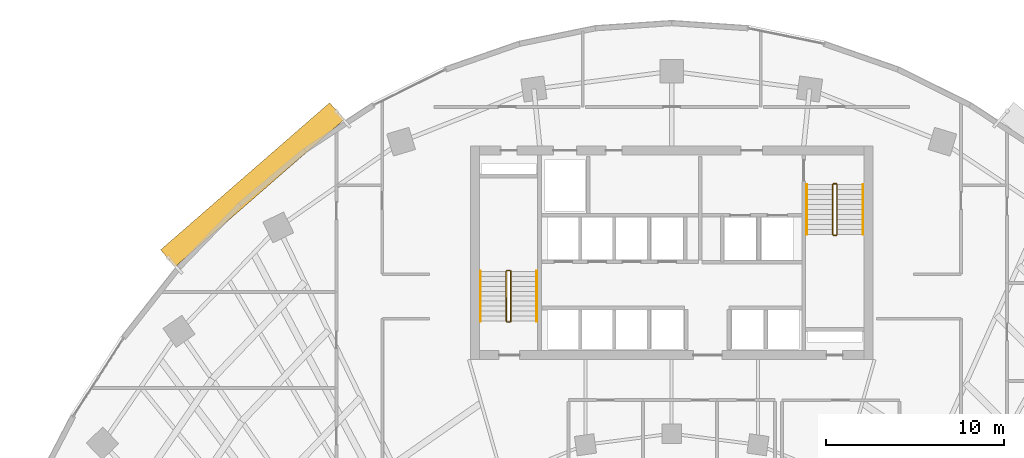
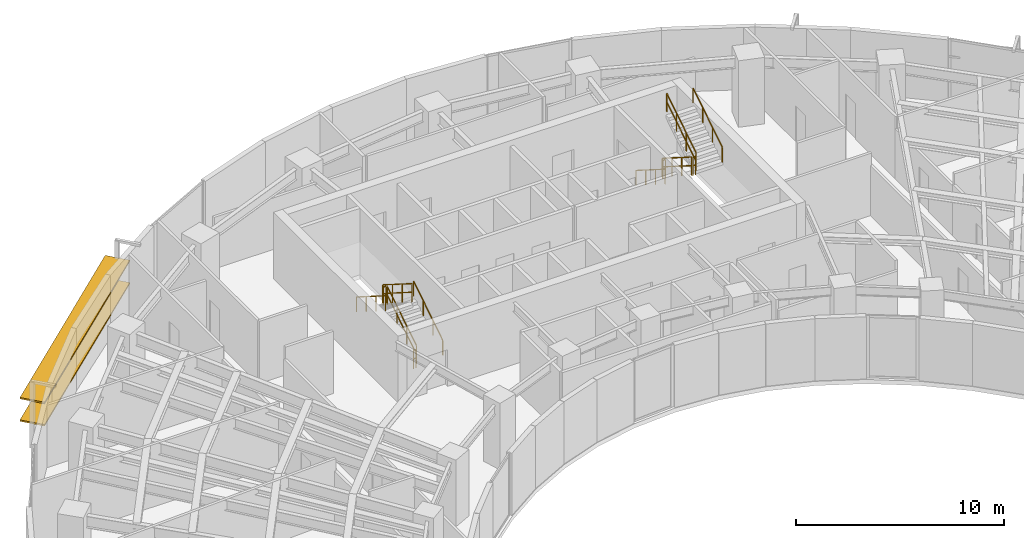
# One storey, part 12 of 13: 12 railings, 2 shading devices.
"""IFC4 building model written with IfcOpenShell, lengths in metres."""

import ifcopenshell
import ifcopenshell.guid

model = None  # the IFC model being written
_history = None  # IfcOwnerHistory: only IFC2X3 demands one
_inside = {}  # id of a spatial element -> (the spatial element, [elements in it])
_under = {}  # id of a project, library or spatial element -> (it, [spatial elements below it])
_declared = {}  # id of a project -> (the project, [libraries it declares])
_typed = {}  # id of a type object -> (the type object, [elements of that type])
_made_of = {}  # id of a material, layer set ... -> (it, [elements and type objects made of it])


def new_model(schema):
    """Start an empty IFC model of exactly this schema.

    Asked for "IFC4X3", IfcOpenShell would pick the latest addendum, in which some entities
    have other attributes; the version numbers below select the first issue.
    IFC2X3 requires an IfcOwnerHistory on every rooted entity: one is made here for all.
    """
    global model, _history
    if schema == "IFC4X3":
        model = ifcopenshell.file(schema_version=(4, 3, 0, 0))
    else:
        model = ifcopenshell.file(schema=schema)
    _inside.clear()
    _under.clear()
    _declared.clear()
    _typed.clear()
    _made_of.clear()
    _history = None
    if model.schema == "IFC2X3":
        org = make("IfcOrganization", Name="unknown")
        user = make(
            "IfcPersonAndOrganization",
            ThePerson=make("IfcPerson", FamilyName="unknown"),
            TheOrganization=org,
        )
        app = make(
            "IfcApplication",
            ApplicationDeveloper=org,
            Version="unknown",
            ApplicationFullName="unknown",
            ApplicationIdentifier="unknown",
        )
        _history = make(
            "IfcOwnerHistory",
            OwningUser=user,
            OwningApplication=app,
            ChangeAction="ADDED",
            CreationDate=0,
        )
    return model


def make(cls, **values):
    """One entity of the class cls with the attributes given. An attribute that is None is left unset."""
    return model.create_entity(
        cls, **{name: value for name, value in values.items() if value is not None}
    )


def rooted(cls, **values):
    """An entity with a GlobalId (a new one), such as an element, a storey or a relation."""
    return make(cls, GlobalId=ifcopenshell.guid.new(), OwnerHistory=_history, **values)


def si_unit(unit_type, name, prefix=None):
    """IfcSIUnit, for example si_unit("LENGTHUNIT", "METRE", prefix="MILLI")."""
    return make("IfcSIUnit", UnitType=unit_type, Prefix=prefix, Name=name)


def assignment(units):
    """IfcUnitAssignment: the units of a project."""
    return None if units is None else make("IfcUnitAssignment", Units=units)


def point(xyz):
    """IfcCartesianPoint."""
    return None if xyz is None else make("IfcCartesianPoint", Coordinates=xyz)


def direction(xyz):
    """IfcDirection."""
    return None if xyz is None else make("IfcDirection", DirectionRatios=xyz)


def frame(location, z_axis=None, x_axis=None):
    """IfcAxis2Placement3D, a coordinate frame: its origin and axes. An axis left out is left unset."""
    return make(
        "IfcAxis2Placement3D",
        Location=point(location),
        Axis=direction(z_axis),
        RefDirection=direction(x_axis),
    )


def frame_2d(location, x_axis=None):
    """IfcAxis2Placement2D, a coordinate frame in the plane: its origin and x axis."""
    return make(
        "IfcAxis2Placement2D", Location=point(location), RefDirection=direction(x_axis)
    )


def origin():
    """The frame at (0, 0, 0) with its axes left unset."""
    return frame((0.0, 0.0, 0.0))


def origin_2d():
    """The frame at (0, 0) in the plane with its x axis left unset."""
    return frame_2d((0.0, 0.0))


def place(relative_to, where):
    """IfcLocalPlacement: puts the frame where relative to a parent placement (None: the world)."""
    return make(
        "IfcLocalPlacement", PlacementRelTo=relative_to, RelativePlacement=where
    )


def context(
    kind, dimensions, precision=None, world=None, true_north=None, identifier=None
):
    """IfcGeometricRepresentationContext, for example the 3D "Model" context."""
    return make(
        "IfcGeometricRepresentationContext",
        ContextIdentifier=identifier,
        ContextType=kind,
        CoordinateSpaceDimension=dimensions,
        Precision=precision,
        WorldCoordinateSystem=world,
        TrueNorth=true_north,
    )


def subcontext(parent, identifier, kind, view, scale=None):
    """IfcGeometricRepresentationSubContext, for example "Body" below "Model"."""
    return make(
        "IfcGeometricRepresentationSubContext",
        ContextIdentifier=identifier,
        ContextType=kind,
        ParentContext=parent,
        TargetScale=scale,
        TargetView=view,
    )


def project(units=None, contexts=None):
    """IfcProject with its units and contexts."""
    return rooted(
        "IfcProject",
        Name="project",
        RepresentationContexts=contexts,
        UnitsInContext=assignment(units),
    )


def spatial(cls, under=None, at=None, **own):
    """A site, building, storey or space (cls), placed at a placement, below another one or the project."""
    s = rooted(cls, ObjectPlacement=at, **own)
    if under is not None:
        _under.setdefault(under.id(), (under, []))[1].append(s)
    return s


def profile(cls, at=None, kind="AREA", **sizes):
    """A parametric profile (cls). Its sizes go by their IFC names, for example OverallWidth=200.0."""
    return make(cls, ProfileType=kind, Position=at, **sizes)


def rectangle(**sizes):
    """IfcRectangleProfileDef."""
    return profile("IfcRectangleProfileDef", **sizes)


def extrude(swept, where, along, depth):
    """IfcExtrudedAreaSolid: the profile swept, set in the frame where, extruded along a direction by depth."""
    return make(
        "IfcExtrudedAreaSolid",
        SweptArea=swept,
        Position=where,
        ExtrudedDirection=direction(along),
        Depth=depth,
    )


def shape(context_of_items, identifier, shape_type, items):
    """IfcShapeRepresentation: the items that make up one representation, for example the "Body"."""
    return make(
        "IfcShapeRepresentation",
        ContextOfItems=context_of_items,
        RepresentationIdentifier=identifier,
        RepresentationType=shape_type,
        Items=items,
    )


def source(mapping_origin, context_of_items, identifier, shape_type, items):
    """IfcRepresentationMap: a shape defined once, which mapped items show again and again."""
    return make(
        "IfcRepresentationMap",
        MappingOrigin=mapping_origin,
        MappedRepresentation=shape(context_of_items, identifier, shape_type, items),
    )


def transform(
    local_origin,
    x_axis=None,
    y_axis=None,
    z_axis=None,
    scale=None,
    scale2=None,
    scale3=None,
    uniform=True,
):
    """IfcCartesianTransformationOperator3D, or its non-uniform kind. x_axis, y_axis, z_axis: its Axis1, 2, 3."""
    if uniform:
        return make(
            "IfcCartesianTransformationOperator3D",
            Axis1=direction(x_axis),
            Axis2=direction(y_axis),
            LocalOrigin=point(local_origin),
            Scale=scale,
            Axis3=direction(z_axis),
        )
    return make(
        "IfcCartesianTransformationOperator3DnonUniform",
        Axis1=direction(x_axis),
        Axis2=direction(y_axis),
        LocalOrigin=point(local_origin),
        Scale=scale,
        Axis3=direction(z_axis),
        Scale2=scale2,
        Scale3=scale3,
    )


def mapped(mapping_source, mapping_target):
    """IfcMappedItem: shows the shape of a source again, moved by a transform."""
    return make(
        "IfcMappedItem", MappingSource=mapping_source, MappingTarget=mapping_target
    )


def material(Name=None, Category=None):
    """IfcMaterial."""
    return make("IfcMaterial", Name=Name, Category=Category)


def material_profile(
    of_material, cross_section, Name=None, Category=None, Priority=None
):
    """IfcMaterialProfile: a cross section and its material."""
    return make(
        "IfcMaterialProfile",
        Name=Name,
        Material=of_material,
        Profile=cross_section,
        Priority=Priority,
        Category=Category,
    )


def profile_set(profiles, Name=None, composite=None):
    """IfcMaterialProfileSet."""
    return make(
        "IfcMaterialProfileSet",
        Name=Name,
        MaterialProfiles=profiles,
        CompositeProfile=composite,
    )


def made_of(thing, what):
    """Note that an element or type object is made of a material, layer set ...; save() writes the relation."""
    if what is not None:
        _made_of.setdefault(what.id(), (what, []))[1].append(thing)
    return thing


def type_object(cls, material=None, **own):
    """A type object (cls), such as IfcWallType, which elements share."""
    return made_of(rooted(cls, **own), material)


def element(
    cls,
    number,
    at=None,
    inside=None,
    cuts=None,
    type_object=None,
    material=None,
    context=None,
    identifier="Body",
    shape_type=None,
    held_by="IfcProductDefinitionShape",
    body=None,
    shapes=None,
    **own,
):
    """One element of the class cls, such as IfcWall. Its Tag is "e" and its number.

    at: its placement. inside: the storey or other place that contains it. cuts: it is an
    opening in that element (IfcRelVoidsElement). A single representation is given by context,
    identifier, shape_type and body (its items); several are given by shapes. held_by: the class
    of the entity that holds the representations. save() writes the other relations.
    """
    e = rooted(cls, Tag="e%d" % number, ObjectPlacement=at, **own)
    if body is not None:
        shapes = [shape(context, identifier, shape_type, body)]
    if shapes is not None:
        e.Representation = make(held_by, Representations=shapes)
    if inside is not None:
        _inside.setdefault(inside.id(), (inside, []))[1].append(e)
    if cuts is not None:
        rooted(
            "IfcRelVoidsElement", RelatingBuildingElement=cuts, RelatedOpeningElement=e
        )
    if type_object is not None:
        _typed.setdefault(type_object.id(), (type_object, []))[1].append(e)
    return made_of(e, material)


def aggregate(whole, parts):
    """IfcRelAggregates: a whole, such as a stair, and the parts it consists of."""
    return rooted("IfcRelAggregates", RelatingObject=whole, RelatedObjects=parts)


def save(model, path):
    """Write the relations noted so far, then the file.

    IfcRelAggregates (storeys below a building ...), IfcRelContainedInSpatialStructure (elements
    in a storey), IfcRelDefinesByType, IfcRelAssociatesMaterial and IfcRelDeclares: one each for
    every whole, place, type object, material and project.
    """
    for whole, parts in _under.values():
        aggregate(whole, parts)
    for where, things in _inside.values():
        rooted(
            "IfcRelContainedInSpatialStructure",
            RelatedElements=things,
            RelatingStructure=where,
        )
    for kind, things in _typed.values():
        rooted("IfcRelDefinesByType", RelatedObjects=things, RelatingType=kind)
    for what, things in _made_of.values():
        rooted("IfcRelAssociatesMaterial", RelatedObjects=things, RelatingMaterial=what)
    for by, libraries in _declared.values():
        rooted("IfcRelDeclares", RelatingContext=by, RelatedDefinitions=libraries)
    model.write(path)


model = new_model("IFC4")

# Units and contexts
model_context = context("Model", 3, precision=1e-05, world=origin(), true_north=direction((0.0, 1.0)))
body_context = subcontext(model_context, "Body", "Model", "MODEL_VIEW")
ifc_project = project(units=[si_unit("LENGTHUNIT", "METRE"), si_unit("AREAUNIT", "SQUARE_METRE"), si_unit("VOLUMEUNIT", "CUBIC_METRE"), si_unit("PLANEANGLEUNIT", "RADIAN"), si_unit("MASSUNIT", "GRAM", prefix="KILO")], contexts=[model_context])

# Site, building, storey
site_placement = place(None, origin())
site = spatial("IfcSite", under=ifc_project, at=site_placement, CompositionType="ELEMENT")
building_placement = place(site_placement, origin())
building = spatial("IfcBuilding", under=site, at=building_placement, Name="Breltana Convention Tower", CompositionType="ELEMENT")
storey_placement = place(building_placement, frame((0.0, 0.0, 96.0)))
storey = spatial("IfcBuildingStorey", under=building, at=storey_placement, Name="L22", CompositionType="ELEMENT", Elevation=96.0)

# Railings
ifc_material_1 = material(Name="Steel S275 Painted", Category="steel")
railing_type_1 = type_object("IfcRailingType", Name="RL-STAIR-GUARD-1100", PredefinedType="GUARDRAIL", material=ifc_material_1)
railing_1_placement = place(storey_placement, frame((38.9599609375, 62.360107421875, 0.17724609375)))
element("IfcRailing", 1, at=railing_1_placement, inside=storey, type_object=railing_type_1, Name="L22 ST-1 stair guard 1", PredefinedType="GUARDRAIL", context=body_context, shape_type="SweptSolid", body=[
    extrude(rectangle(XDim=0.048095703125, YDim=0.048095703125, at=origin_2d()), frame((0.0, 0.0, 1.076171875), z_axis=(0.0, 0.844887892834, 0.53494340686), x_axis=(-1.0, 0.0, 0.0)), (0.0, 0.0, 1.0), 3.313720703125),
    extrude(rectangle(XDim=0.048095703125, YDim=0.048095703125, at=origin_2d()), frame((0.0, 0.0, 0.572021484375), z_axis=(0.0, 0.844887892834, 0.53494340686), x_axis=(-1.0, 0.0, 0.0)), (0.0, 0.0, 1.0), 3.313720703125),
    extrude(rectangle(XDim=0.0419921875, YDim=0.0419921875, at=origin_2d()), origin(), (0.0, 0.0, 1.0), 1.052001953125),
    extrude(rectangle(XDim=0.0419921875, YDim=0.0419921875, at=origin_2d()), frame((0.0, 0.933349609375, 0.5908203125)), (0.0, 0.0, 1.0), 1.052001953125),
    extrude(rectangle(XDim=0.0419921875, YDim=0.0419921875, at=origin_2d()), frame((0.0, 1.866455078125, 1.181884765625)), (0.0, 0.0, 1.0), 1.052001953125),
    extrude(rectangle(XDim=0.0419921875, YDim=0.0419921875, at=origin_2d()), frame((0.0, 2.7998046875, 1.772705078125)), (0.0, 0.0, 1.0), 1.052001953125),
])
railing_2_placement = place(storey_placement, frame((38.909912109375, 65.2099609375, 1.949951171875)))
element("IfcRailing", 2, at=railing_2_placement, inside=storey, type_object=railing_type_1, Name="L22 ST-1 stair guard 2", PredefinedType="GUARDRAIL", context=body_context, shape_type="SweptSolid", body=[
    extrude(rectangle(XDim=0.048095703125, YDim=0.048095703125, at=origin_2d()), frame((0.0, 0.0, 1.076171875), z_axis=(-1.0, 0.0, 0.0), x_axis=(0.0, -1.0, 0.0)), (0.0, 0.0, 1.0), 0.14990234375),
    extrude(rectangle(XDim=0.048095703125, YDim=0.048095703125, at=origin_2d()), frame((0.0, 0.0, 0.572021484375), z_axis=(-1.0, 0.0, 0.0), x_axis=(0.0, -1.0, 0.0)), (0.0, 0.0, 1.0), 0.14990234375),
    extrude(rectangle(XDim=0.0419921875, YDim=0.0419921875, at=origin_2d()), origin(), (0.0, 0.0, 1.0), 1.052001953125),
    extrude(rectangle(XDim=0.0419921875, YDim=0.0419921875, at=origin_2d()), frame((-0.14990234375, 0.0, 0.0)), (0.0, 0.0, 1.0), 1.052001953125),
])
railing_3_placement = place(storey_placement, frame((38.7099609375, 65.159912109375, 2.127197265625)))
element("IfcRailing", 3, at=railing_3_placement, inside=storey, type_object=railing_type_1, Name="L22 ST-1 stair guard 3", PredefinedType="GUARDRAIL", context=body_context, shape_type="SweptSolid", body=[
    extrude(rectangle(XDim=0.048095703125, YDim=0.048095703125, at=origin_2d()), frame((0.0, 0.0, 1.076171875), z_axis=(0.0, -0.844887892834, 0.53494340686), x_axis=(1.0, 0.0, 0.0)), (0.0, 0.0, 1.0), 3.313720703125),
    extrude(rectangle(XDim=0.048095703125, YDim=0.048095703125, at=origin_2d()), frame((0.0, 0.0, 0.572021484375), z_axis=(0.0, -0.844887892834, 0.53494340686), x_axis=(1.0, 0.0, 0.0)), (0.0, 0.0, 1.0), 3.313720703125),
    extrude(rectangle(XDim=0.0419921875, YDim=0.0419921875, at=origin_2d()), origin(), (0.0, 0.0, 1.0), 1.052001953125),
    extrude(rectangle(XDim=0.0419921875, YDim=0.0419921875, at=origin_2d()), frame((0.0, -0.933349609375, 0.5908203125)), (0.0, 0.0, 1.0), 1.052001953125),
    extrude(rectangle(XDim=0.0419921875, YDim=0.0419921875, at=origin_2d()), frame((0.0, -1.866455078125, 1.181884765625)), (0.0, 0.0, 1.0), 1.052001953125),
    extrude(rectangle(XDim=0.0419921875, YDim=0.0419921875, at=origin_2d()), frame((0.0, -2.7998046875, 1.772705078125)), (0.0, 0.0, 1.0), 1.052001953125),
])
railing_4_placement = place(storey_placement, frame((38.909912109375, 62.31005859375, 0.0)))
element("IfcRailing", 4, at=railing_4_placement, inside=storey, type_object=railing_type_1, Name="L22 ST-1 stair guard 4", PredefinedType="GUARDRAIL", context=body_context, shape_type="SweptSolid", body=[
    extrude(rectangle(XDim=0.048095703125, YDim=0.048095703125, at=origin_2d()), frame((0.0, 0.0, 1.076171875), z_axis=(-1.0, 0.0, 0.0), x_axis=(0.0, -1.0, 0.0)), (0.0, 0.0, 1.0), 0.14990234375),
    extrude(rectangle(XDim=0.048095703125, YDim=0.048095703125, at=origin_2d()), frame((0.0, 0.0, 0.572021484375), z_axis=(-1.0, 0.0, 0.0), x_axis=(0.0, -1.0, 0.0)), (0.0, 0.0, 1.0), 0.14990234375),
    extrude(rectangle(XDim=0.0419921875, YDim=0.0419921875, at=origin_2d()), origin(), (0.0, 0.0, 1.0), 1.052001953125),
    extrude(rectangle(XDim=0.0419921875, YDim=0.0419921875, at=origin_2d()), frame((-0.14990234375, 0.0, 0.0)), (0.0, 0.0, 1.0), 1.052001953125),
])
railing_5_placement = place(storey_placement, frame((57.0400390625, 70.0400390625, 0.17724609375)))
element("IfcRailing", 5, at=railing_5_placement, inside=storey, type_object=railing_type_1, Name="L22 ST-2 stair guard 1", PredefinedType="GUARDRAIL", context=body_context, shape_type="SweptSolid", body=[
    extrude(rectangle(XDim=0.048095703125, YDim=0.048095703125, at=origin_2d()), frame((0.0, 0.0, 1.076171875), z_axis=(0.0, -0.844908973607, 0.534910110503), x_axis=(1.0, 0.0, 0.0)), (0.0, 0.0, 1.0), 3.31396484375),
    extrude(rectangle(XDim=0.048095703125, YDim=0.048095703125, at=origin_2d()), frame((0.0, 0.0, 0.572021484375), z_axis=(0.0, -0.844908973607, 0.534910110503), x_axis=(1.0, 0.0, 0.0)), (0.0, 0.0, 1.0), 3.31396484375),
    extrude(rectangle(XDim=0.0419921875, YDim=0.0419921875, at=origin_2d()), origin(), (0.0, 0.0, 1.0), 1.052001953125),
    extrude(rectangle(XDim=0.0419921875, YDim=0.0419921875, at=origin_2d()), frame((0.0, -0.933349609375, 0.5908203125)), (0.0, 0.0, 1.0), 1.052001953125),
    extrude(rectangle(XDim=0.0419921875, YDim=0.0419921875, at=origin_2d()), frame((0.0, -1.86669921875, 1.181884765625)), (0.0, 0.0, 1.0), 1.052001953125),
    extrude(rectangle(XDim=0.0419921875, YDim=0.0419921875, at=origin_2d()), frame((0.0, -2.800048828125, 1.772705078125)), (0.0, 0.0, 1.0), 1.052001953125),
])
railing_6_placement = place(storey_placement, frame((57.090087890625, 67.18994140625, 1.949951171875)))
element("IfcRailing", 6, at=railing_6_placement, inside=storey, type_object=railing_type_1, Name="L22 ST-2 stair guard 2", PredefinedType="GUARDRAIL", context=body_context, shape_type="SweptSolid", body=[
    extrude(rectangle(XDim=0.048095703125, YDim=0.048095703125, at=origin_2d()), frame((0.0, 0.0, 1.076171875), z_axis=(1.0, 0.0, 0.0), x_axis=(0.0, 1.0, 0.0)), (0.0, 0.0, 1.0), 0.14990234375),
    extrude(rectangle(XDim=0.048095703125, YDim=0.048095703125, at=origin_2d()), frame((0.0, 0.0, 0.572021484375), z_axis=(1.0, 0.0, 0.0), x_axis=(0.0, 1.0, 0.0)), (0.0, 0.0, 1.0), 0.14990234375),
    extrude(rectangle(XDim=0.0419921875, YDim=0.0419921875, at=origin_2d()), origin(), (0.0, 0.0, 1.0), 1.052001953125),
    extrude(rectangle(XDim=0.0419921875, YDim=0.0419921875, at=origin_2d()), frame((0.14990234375, 0.0, 0.0)), (0.0, 0.0, 1.0), 1.052001953125),
])
railing_7_placement = place(storey_placement, frame((57.2900390625, 67.239990234375, 2.127197265625)))
element("IfcRailing", 7, at=railing_7_placement, inside=storey, type_object=railing_type_1, Name="L22 ST-2 stair guard 3", PredefinedType="GUARDRAIL", context=body_context, shape_type="SweptSolid", body=[
    extrude(rectangle(XDim=0.048095703125, YDim=0.048095703125, at=origin_2d()), frame((0.0, 0.0, 1.076171875), z_axis=(0.0, 0.844908973607, 0.534910110503), x_axis=(-1.0, 0.0, 0.0)), (0.0, 0.0, 1.0), 3.31396484375),
    extrude(rectangle(XDim=0.048095703125, YDim=0.048095703125, at=origin_2d()), frame((0.0, 0.0, 0.572021484375), z_axis=(0.0, 0.844908973607, 0.534910110503), x_axis=(-1.0, 0.0, 0.0)), (0.0, 0.0, 1.0), 3.31396484375),
    extrude(rectangle(XDim=0.0419921875, YDim=0.0419921875, at=origin_2d()), origin(), (0.0, 0.0, 1.0), 1.052001953125),
    extrude(rectangle(XDim=0.0419921875, YDim=0.0419921875, at=origin_2d()), frame((0.0, 0.933349609375, 0.5908203125)), (0.0, 0.0, 1.0), 1.052001953125),
    extrude(rectangle(XDim=0.0419921875, YDim=0.0419921875, at=origin_2d()), frame((0.0, 1.86669921875, 1.181884765625)), (0.0, 0.0, 1.0), 1.052001953125),
    extrude(rectangle(XDim=0.0419921875, YDim=0.0419921875, at=origin_2d()), frame((0.0, 2.800048828125, 1.772705078125)), (0.0, 0.0, 1.0), 1.052001953125),
])
railing_8_placement = place(storey_placement, frame((57.090087890625, 70.090087890625, 0.0)))
element("IfcRailing", 8, at=railing_8_placement, inside=storey, type_object=railing_type_1, Name="L22 ST-2 stair guard 4", PredefinedType="GUARDRAIL", context=body_context, shape_type="SweptSolid", body=[
    extrude(rectangle(XDim=0.048095703125, YDim=0.048095703125, at=origin_2d()), frame((0.0, 0.0, 1.076171875), z_axis=(1.0, 0.0, 0.0), x_axis=(0.0, 1.0, 0.0)), (0.0, 0.0, 1.0), 0.14990234375),
    extrude(rectangle(XDim=0.048095703125, YDim=0.048095703125, at=origin_2d()), frame((0.0, 0.0, 0.572021484375), z_axis=(1.0, 0.0, 0.0), x_axis=(0.0, 1.0, 0.0)), (0.0, 0.0, 1.0), 0.14990234375),
    extrude(rectangle(XDim=0.0419921875, YDim=0.0419921875, at=origin_2d()), origin(), (0.0, 0.0, 1.0), 1.052001953125),
    extrude(rectangle(XDim=0.0419921875, YDim=0.0419921875, at=origin_2d()), frame((0.14990234375, 0.0, 0.0)), (0.0, 0.0, 1.0), 1.052001953125),
])
ifc_material_2 = material(Name="Stainless Steel 316L", Category="steel")
railing_type_2 = type_object("IfcRailingType", Name="RL-STAIR-HANDRAIL-900", PredefinedType="HANDRAIL", material=ifc_material_2)
railing_9_placement = place(storey_placement, frame((40.419921875, 62.360107421875, 0.17724609375)))
element("IfcRailing", 9, at=railing_9_placement, inside=storey, type_object=railing_type_2, Name="L22 ST-1 stair handrail 1", PredefinedType="HANDRAIL", context=body_context, shape_type="SweptSolid", body=[
    extrude(rectangle(XDim=0.048095703125, YDim=0.048095703125, at=origin_2d()), frame((0.0, 0.0, 0.8759765625), z_axis=(0.0, 0.844887892834, 0.53494340686), x_axis=(-1.0, 0.0, 0.0)), (0.0, 0.0, 1.0), 3.313720703125),
    extrude(rectangle(XDim=0.0419921875, YDim=0.0419921875, at=origin_2d()), origin(), (0.0, 0.0, 1.0), 0.851806640625),
    extrude(rectangle(XDim=0.0419921875, YDim=0.0419921875, at=origin_2d()), frame((0.0, 0.933349609375, 0.5908203125)), (0.0, 0.0, 1.0), 0.851806640625),
    extrude(rectangle(XDim=0.0419921875, YDim=0.0419921875, at=origin_2d()), frame((0.0, 1.866455078125, 1.181884765625)), (0.0, 0.0, 1.0), 0.851806640625),
    extrude(rectangle(XDim=0.0419921875, YDim=0.0419921875, at=origin_2d()), frame((0.0, 2.7998046875, 1.772705078125)), (0.0, 0.0, 1.0), 0.851806640625),
])
railing_10_placement = place(storey_placement, frame((37.25, 65.159912109375, 2.127197265625)))
element("IfcRailing", 10, at=railing_10_placement, inside=storey, type_object=railing_type_2, Name="L22 ST-1 stair handrail 2", PredefinedType="HANDRAIL", context=body_context, shape_type="SweptSolid", body=[
    extrude(rectangle(XDim=0.048095703125, YDim=0.048095703125, at=origin_2d()), frame((0.0, 0.0, 0.8759765625), z_axis=(0.0, -0.844887892834, 0.53494340686), x_axis=(1.0, 0.0, 0.0)), (0.0, 0.0, 1.0), 3.313720703125),
    extrude(rectangle(XDim=0.0419921875, YDim=0.0419921875, at=origin_2d()), origin(), (0.0, 0.0, 1.0), 0.851806640625),
    extrude(rectangle(XDim=0.0419921875, YDim=0.0419921875, at=origin_2d()), frame((0.0, -0.933349609375, 0.5908203125)), (0.0, 0.0, 1.0), 0.851806640625),
    extrude(rectangle(XDim=0.0419921875, YDim=0.0419921875, at=origin_2d()), frame((0.0, -1.866455078125, 1.181884765625)), (0.0, 0.0, 1.0), 0.851806640625),
    extrude(rectangle(XDim=0.0419921875, YDim=0.0419921875, at=origin_2d()), frame((0.0, -2.7998046875, 1.772705078125)), (0.0, 0.0, 1.0), 0.851806640625),
])
railing_11_placement = place(storey_placement, frame((55.580078125, 70.0400390625, 0.17724609375)))
element("IfcRailing", 11, at=railing_11_placement, inside=storey, type_object=railing_type_2, Name="L22 ST-2 stair handrail 1", PredefinedType="HANDRAIL", context=body_context, shape_type="SweptSolid", body=[
    extrude(rectangle(XDim=0.048095703125, YDim=0.048095703125, at=origin_2d()), frame((0.0, 0.0, 0.8759765625), z_axis=(0.0, -0.844908973607, 0.534910110503), x_axis=(1.0, 0.0, 0.0)), (0.0, 0.0, 1.0), 3.31396484375),
    extrude(rectangle(XDim=0.0419921875, YDim=0.0419921875, at=origin_2d()), origin(), (0.0, 0.0, 1.0), 0.851806640625),
    extrude(rectangle(XDim=0.0419921875, YDim=0.0419921875, at=origin_2d()), frame((0.0, -0.933349609375, 0.5908203125)), (0.0, 0.0, 1.0), 0.851806640625),
    extrude(rectangle(XDim=0.0419921875, YDim=0.0419921875, at=origin_2d()), frame((0.0, -1.86669921875, 1.181884765625)), (0.0, 0.0, 1.0), 0.851806640625),
    extrude(rectangle(XDim=0.0419921875, YDim=0.0419921875, at=origin_2d()), frame((0.0, -2.800048828125, 1.772705078125)), (0.0, 0.0, 1.0), 0.851806640625),
])
railing_12_placement = place(storey_placement, frame((58.75, 67.239990234375, 2.127197265625)))
element("IfcRailing", 12, at=railing_12_placement, inside=storey, type_object=railing_type_2, Name="L22 ST-2 stair handrail 2", PredefinedType="HANDRAIL", context=body_context, shape_type="SweptSolid", body=[
    extrude(rectangle(XDim=0.048095703125, YDim=0.048095703125, at=origin_2d()), frame((0.0, 0.0, 0.8759765625), z_axis=(0.0, 0.844908973607, 0.534910110503), x_axis=(-1.0, 0.0, 0.0)), (0.0, 0.0, 1.0), 3.31396484375),
    extrude(rectangle(XDim=0.0419921875, YDim=0.0419921875, at=origin_2d()), origin(), (0.0, 0.0, 1.0), 0.851806640625),
    extrude(rectangle(XDim=0.0419921875, YDim=0.0419921875, at=origin_2d()), frame((0.0, 0.933349609375, 0.5908203125)), (0.0, 0.0, 1.0), 0.851806640625),
    extrude(rectangle(XDim=0.0419921875, YDim=0.0419921875, at=origin_2d()), frame((0.0, 1.86669921875, 1.181884765625)), (0.0, 0.0, 1.0), 0.851806640625),
    extrude(rectangle(XDim=0.0419921875, YDim=0.0419921875, at=origin_2d()), frame((0.0, 2.800048828125, 1.772705078125)), (0.0, 0.0, 1.0), 0.851806640625),
])

# Shading devices
ifc_material_3 = material(Name="Limestone Warm Buff Honed", Category="masonry")
ifc_material_profile = material_profile(ifc_material_3, rectangle(XDim=1.25, YDim=0.090087890625, at=origin_2d()), Name="STN-LVR-1250X90")
ifc_profile_set = profile_set([ifc_material_profile], Name="Limestone Warm Buff Honed")
shading_device_type = type_object("IfcShadingDeviceType", Name="SHD-OUTER-SKIN-LIMESTONE-1250", PredefinedType="JALOUSIE", material=ifc_profile_set)
shared_shape = source(origin(), body_context, "Body", "SweptSolid", [
    extrude(rectangle(XDim=1.25, YDim=0.090087890625, at=origin_2d()), origin(), (0.0, 0.0, 1.0), 12.59423828125),
])
for number, where, z_axis, x_axis, name in (
    (13, (19.6826171875, 65.894775390625, 1.31396484375), (0.754366759368, 0.656453191295, 0.0), (-0.656453191295, 0.754366759368, 0.0), "L22 outer skin warm limestone louvre 1.1"),
    (14, (19.6826171875, 65.894775390625, 2.6279296875), (0.754366759368, 0.656453191295, 0.0), (-0.656453191295, 0.754366759368, 0.0), "L22 outer skin warm limestone louvre 1.2"),
):
    element("IfcShadingDevice", number, at=place(storey_placement, frame(where, z_axis=z_axis, x_axis=x_axis)), inside=storey, type_object=shading_device_type, Name=name, PredefinedType="JALOUSIE", context=body_context, shape_type="MappedRepresentation", body=[
        mapped(shared_shape, transform((0.0, 0.0, 0.0), scale=1.0)),
    ])

save(model, "model.ifc")
